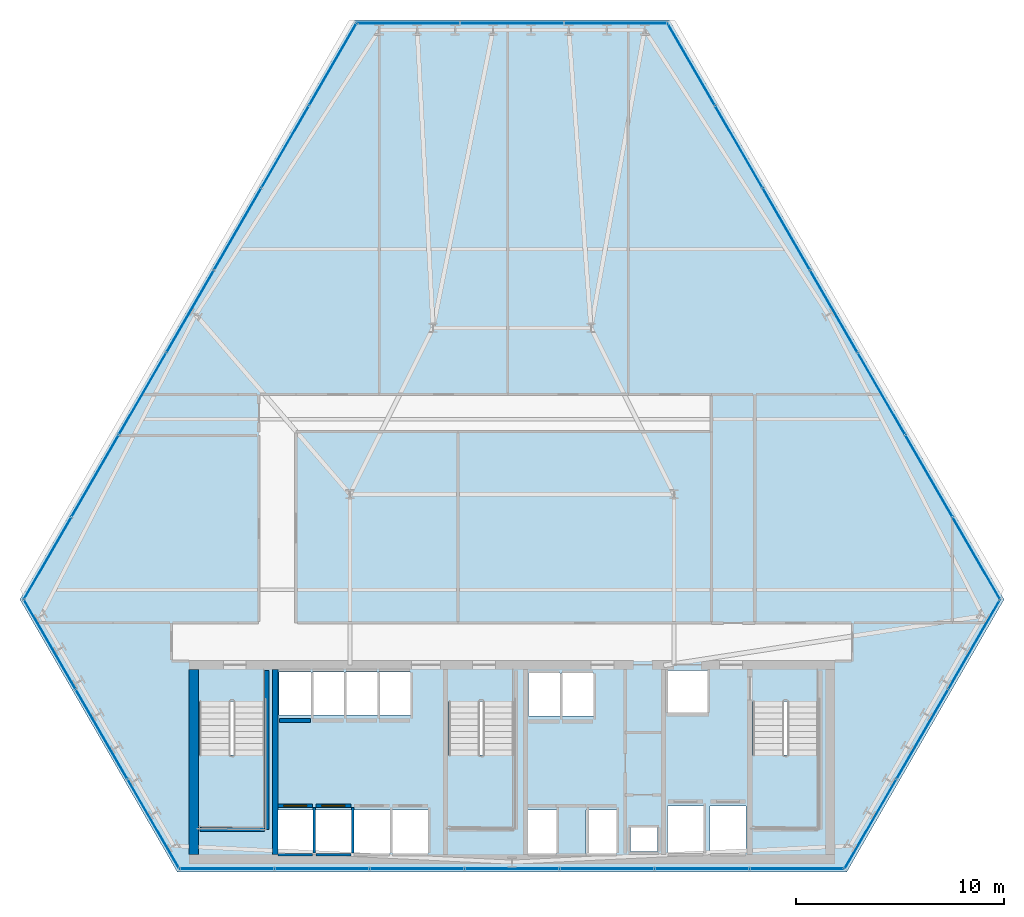
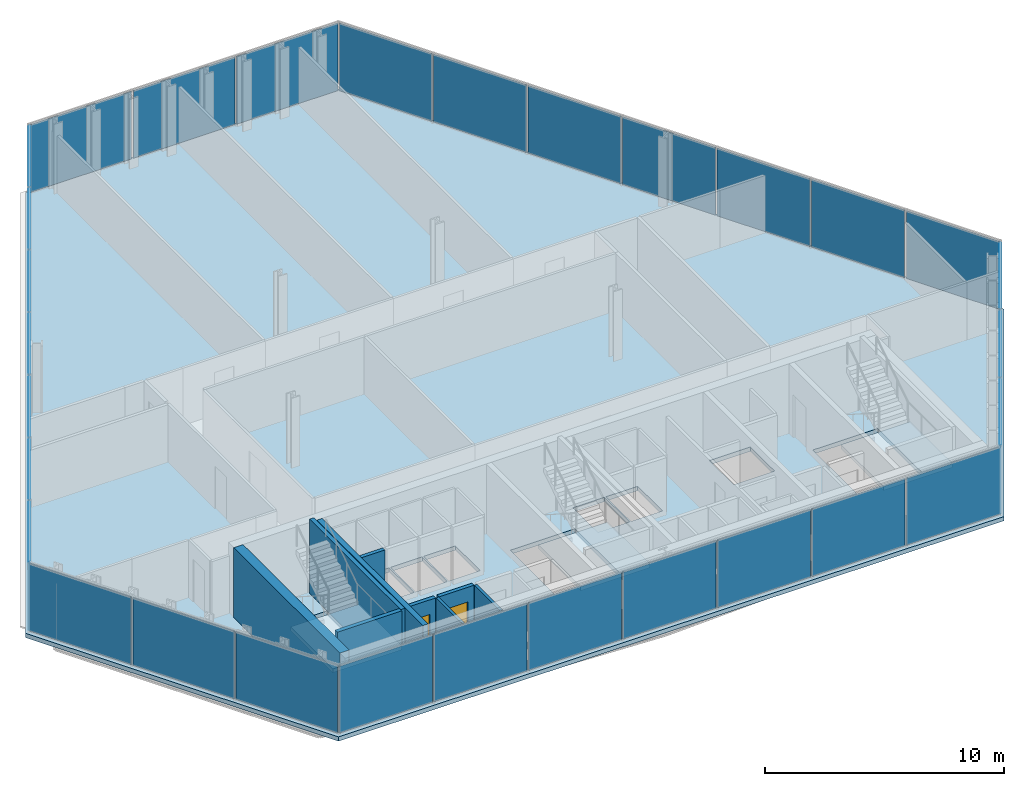
# One storey, part 26 of 32: 30 plates, 11 walls, 4 slabs, 2 doors, 2 openings, 9 elements without a shape of their own.
"""IFC4 building model written with IfcOpenShell, lengths in metres."""

from ifc_helpers import new_model, si_unit, direction, frame, frame_2d, origin, origin_2d, place, context, subcontext, project, spatial, polyline, rectangle, outline, extrude, material, layer, layer_set, type_object, element, fill, aggregate, save


model = new_model("IFC4")

# Units and contexts
model_context = context("Model", 3, precision=1e-05, world=origin(), true_north=direction((0.0, 1.0)))
body_context = subcontext(model_context, "Body", "Model", "MODEL_VIEW")
ifc_project = project(units=[si_unit("LENGTHUNIT", "METRE"), si_unit("AREAUNIT", "SQUARE_METRE"), si_unit("VOLUMEUNIT", "CUBIC_METRE"), si_unit("PLANEANGLEUNIT", "RADIAN"), si_unit("MASSUNIT", "GRAM", prefix="KILO")], contexts=[model_context])

# Site, building, storey
site_placement = place(None, origin())
site = spatial("IfcSite", under=ifc_project, at=site_placement, CompositionType="ELEMENT")
building_placement = place(site_placement, origin())
building = spatial("IfcBuilding", under=site, at=building_placement, Name="Ndaravel Arena Tower", CompositionType="ELEMENT")
storey_placement = place(building_placement, frame((0.0, 0.0, 70.199951171875)))
storey = spatial("IfcBuildingStorey", under=building, at=storey_placement, Name="L15", CompositionType="ELEMENT", Elevation=70.199951171875)

# Curtain wall, plate
ifc_material_1 = material(Name="Aluminium", Category="aluminium")
ifc_layer_1 = layer(ifc_material_1, 0.179931640625)
ifc_layer_set_1 = layer_set([ifc_layer_1], Name="Aluminium")
curtain_wall_type_1 = type_object("IfcCurtainWallType", Name="CW-SYS-01", PredefinedType="NOTDEFINED", material=ifc_layer_set_1)
curtain_wall_1_placement = place(storey_placement, origin())
curtain_wall_1 = element("IfcCurtainWall", 1, at=curtain_wall_1_placement, inside=storey, type_object=curtain_wall_type_1, Name="L15 Faceted Crystal Curtain Wall CW-L15-E02", PredefinedType="NOTDEFINED")
ifc_material_2 = material(Name="Glazing", Category="glass")
ifc_layer_2 = layer(ifc_material_2, 0.035888671875)
ifc_layer_set_2 = layer_set([ifc_layer_2], Name="Glazing")
plate_type_1 = type_object("IfcPlateType", Name="PLT-CW-OPVENT", PredefinedType="CURTAIN_PANEL", material=ifc_layer_set_2)
plate_1_placement = place(storey_placement, frame((61.758056640625, 11.6435546875, 0.06005859375), z_axis=(0.0, 0.0, 1.0), x_axis=(0.5, 0.866025403784, 0.0)))
plate_1 = element("IfcPlate", 2, at=plate_1_placement, type_object=plate_type_1, Name="CW-L15-E02 Operable Vent Sash Panel 02", PredefinedType="CURTAIN_PANEL", context=body_context, shape_type="SweptSolid", body=[
    extrude(rectangle(XDim=4.910888671875, YDim=0.035888671875, at=origin_2d()), origin(), (0.0, 0.0, 1.0), 3.4599609375),
])

curtain_wall_2_placement = place(storey_placement, origin())
curtain_wall_2 = element("IfcCurtainWall", 3, at=curtain_wall_2_placement, inside=storey, type_object=curtain_wall_type_1, Name="L15 Faceted Crystal Curtain Wall CW-L15-E04", PredefinedType="NOTDEFINED")
plate_2_placement = place(storey_placement, frame((42.0, 45.865478515625, 0.06005859375), z_axis=(0.0, 0.0, 1.0), x_axis=(-1.0, 0.0, 0.0)))
plate_2 = element("IfcPlate", 4, at=plate_2_placement, type_object=plate_type_1, Name="CW-L15-E04 Operable Vent Sash Panel 02", PredefinedType="CURTAIN_PANEL", context=body_context, shape_type="SweptSolid", body=[
    extrude(rectangle(XDim=4.9111328125, YDim=0.035888671875, at=origin_2d()), origin(), (0.0, 0.0, 1.0), 3.4599609375),
])

ifc_material_3 = material(Name="Aluminium", Category="aluminium")
ifc_layer_3 = layer(ifc_material_3, 0.179931640625)
ifc_layer_set_3 = layer_set([ifc_layer_3], Name="Aluminium")
curtain_wall_type_2 = type_object("IfcCurtainWallType", Name="CW-SYS-02", PredefinedType="NOTDEFINED", material=ifc_layer_set_3)
curtain_wall_3_placement = place(storey_placement, origin())
curtain_wall_3 = element("IfcCurtainWall", 5, at=curtain_wall_3_placement, inside=storey, type_object=curtain_wall_type_2, Name="L15 Faceted Crystal Curtain Wall CW-L15-E06", PredefinedType="NOTDEFINED")
plate_3_placement = place(storey_placement, frame((22.241943359375, 11.6435546875, 0.06005859375), z_axis=(0.0, 0.0, 1.0), x_axis=(0.5, -0.866025403784, 0.0)))
plate_3 = element("IfcPlate", 6, at=plate_3_placement, type_object=plate_type_1, Name="CW-L15-E06 Operable Vent Sash Panel 02", PredefinedType="CURTAIN_PANEL", context=body_context, shape_type="SweptSolid", body=[
    extrude(rectangle(XDim=4.910888671875, YDim=0.035888671875, at=origin_2d()), origin(), (0.0, 0.0, 1.0), 3.4599609375),
])

# Plate
ifc_material_4 = material(Name="Glazing", Category="glass")
ifc_layer_4 = layer(ifc_material_4, 0.031982421875)
ifc_layer_set_4 = layer_set([ifc_layer_4], Name="Glazing")
plate_type_2 = type_object("IfcPlateType", Name="PLT-GLZ-FRIT35", PredefinedType="CURTAIN_PANEL", material=ifc_layer_set_4)
plate_4_placement = place(storey_placement, frame((59.2626953125, 7.3212890625, 0.06005859375), z_axis=(0.0, 0.0, 1.0), x_axis=(0.5, 0.866025403784, 0.0)))
plate_4 = element("IfcPlate", 7, at=plate_4_placement, type_object=plate_type_2, Name="CW-L15-E02 Vision Glass Panel 01", PredefinedType="CURTAIN_PANEL", context=body_context, shape_type="SweptSolid", body=[
    extrude(rectangle(XDim=4.910888671875, YDim=0.035888671875, at=origin_2d()), origin(), (0.0, 0.0, 1.0), 3.4599609375),
])

plate_5_placement = place(storey_placement, frame((64.253662109375, 15.9658203125, 0.06005859375), z_axis=(0.0, 0.0, 1.0), x_axis=(0.5, 0.866025403784, 0.0)))
plate_5 = element("IfcPlate", 8, at=plate_5_placement, type_object=plate_type_2, Name="CW-L15-E02 Vision Glass Panel 03", PredefinedType="CURTAIN_PANEL", context=body_context, shape_type="SweptSolid", body=[
    extrude(rectangle(XDim=4.910888671875, YDim=0.035888671875, at=origin_2d()), origin(), (0.0, 0.0, 1.0), 3.4599609375),
])

aggregate(curtain_wall_1, [plate_4, plate_1, plate_5])

plate_6_placement = place(storey_placement, frame((46.9912109375, 45.865478515625, 0.06005859375), z_axis=(0.0, 0.0, 1.0), x_axis=(-1.0, 0.0, 0.0)))
plate_6 = element("IfcPlate", 9, at=plate_6_placement, type_object=plate_type_2, Name="CW-L15-E04 Vision Glass Panel 01", PredefinedType="CURTAIN_PANEL", context=body_context, shape_type="SweptSolid", body=[
    extrude(rectangle(XDim=4.9111328125, YDim=0.035888671875, at=origin_2d()), origin(), (0.0, 0.0, 1.0), 3.4599609375),
])

plate_7_placement = place(storey_placement, frame((37.0087890625, 45.865478515625, 0.06005859375), z_axis=(0.0, 0.0, 1.0), x_axis=(-1.0, 0.0, 0.0)))
plate_7 = element("IfcPlate", 10, at=plate_7_placement, type_object=plate_type_2, Name="CW-L15-E04 Vision Glass Panel 03", PredefinedType="CURTAIN_PANEL", context=body_context, shape_type="SweptSolid", body=[
    extrude(rectangle(XDim=4.9111328125, YDim=0.035888671875, at=origin_2d()), origin(), (0.0, 0.0, 1.0), 3.4599609375),
])

aggregate(curtain_wall_2, [plate_6, plate_2, plate_7])

ifc_material_5 = material(Name="Glazing", Category="glass")
ifc_layer_5 = layer(ifc_material_5, 0.035888671875)
ifc_layer_set_5 = layer_set([ifc_layer_5], Name="Glazing")
plate_type_3 = type_object("IfcPlateType", Name="PLT-GLZ-FRIT55", PredefinedType="CURTAIN_PANEL", material=ifc_layer_set_5)
plate_8_placement = place(storey_placement, frame((19.746337890625, 15.9658203125, 0.06005859375), z_axis=(0.0, 0.0, 1.0), x_axis=(0.5, -0.866025403784, 0.0)))
plate_8 = element("IfcPlate", 11, at=plate_8_placement, type_object=plate_type_3, Name="CW-L15-E06 Vision Glass Panel 01", PredefinedType="CURTAIN_PANEL", context=body_context, shape_type="SweptSolid", body=[
    extrude(rectangle(XDim=4.910888671875, YDim=0.035888671875, at=origin_2d()), origin(), (0.0, 0.0, 1.0), 3.4599609375),
])

plate_9_placement = place(storey_placement, frame((24.7373046875, 7.3212890625, 0.06005859375), z_axis=(0.0, 0.0, 1.0), x_axis=(0.5, -0.866025403784, 0.0)))
plate_9 = element("IfcPlate", 12, at=plate_9_placement, type_object=plate_type_3, Name="CW-L15-E06 Vision Glass Panel 03", PredefinedType="CURTAIN_PANEL", context=body_context, shape_type="SweptSolid", body=[
    extrude(rectangle(XDim=4.910888671875, YDim=0.035888671875, at=origin_2d()), origin(), (0.0, 0.0, 1.0), 3.4599609375),
])

aggregate(curtain_wall_3, [plate_8, plate_3, plate_9])

# Curtain wall, plates
ifc_material_6 = material(Name="Aluminium", Category="aluminium")
ifc_layer_6 = layer(ifc_material_6, 0.179931640625)
ifc_layer_set_6 = layer_set([ifc_layer_6], Name="Aluminium")
curtain_wall_type_3 = type_object("IfcCurtainWallType", Name="CW-SYS-03", PredefinedType="NOTDEFINED", material=ifc_layer_set_6)
curtain_wall_4_placement = place(storey_placement, origin())
curtain_wall_4 = element("IfcCurtainWall", 13, at=curtain_wall_4_placement, inside=storey, type_object=curtain_wall_type_3, Name="L15 Faceted Crystal Curtain Wall CW-L15-E01", PredefinedType="NOTDEFINED")
ifc_material_7 = material(Name="Glazing", Category="glass")
ifc_layer_7 = layer(ifc_material_7, 0.0400390625)
ifc_layer_set_7 = layer_set([ifc_layer_7], Name="Glazing")
plate_type_4 = type_object("IfcPlateType", Name="PLT-GLZ-LOWIRON", PredefinedType="CURTAIN_PANEL", material=ifc_layer_set_7)
plate_10_placement = place(storey_placement, frame((28.27294921875, 5.159912109375, 0.06005859375), z_axis=(0.0, 0.0, 1.0), x_axis=(1.0, 0.0, 0.0)))
plate_10 = element("IfcPlate", 14, at=plate_10_placement, type_object=plate_type_4, Name="CW-L15-E01 Vision Glass Panel 01", PredefinedType="CURTAIN_PANEL", context=body_context, shape_type="SweptSolid", body=[
    extrude(rectangle(XDim=4.49560546875, YDim=0.035888671875, at=origin_2d()), origin(), (0.0, 0.0, 1.0), 3.4599609375),
])
plate_11_placement = place(storey_placement, frame((32.8486328125, 5.159912109375, 0.06005859375), z_axis=(0.0, 0.0, 1.0), x_axis=(1.0, 0.0, 0.0)))
plate_11 = element("IfcPlate", 15, at=plate_11_placement, type_object=plate_type_4, Name="CW-L15-E01 Vision Glass Panel 02", PredefinedType="CURTAIN_PANEL", context=body_context, shape_type="SweptSolid", body=[
    extrude(rectangle(XDim=4.49560546875, YDim=0.035888671875, at=origin_2d()), origin(), (0.0, 0.0, 1.0), 3.4599609375),
])
plate_12_placement = place(storey_placement, frame((37.42431640625, 5.159912109375, 0.06005859375), z_axis=(0.0, 0.0, 1.0), x_axis=(1.0, 0.0, 0.0)))
plate_12 = element("IfcPlate", 16, at=plate_12_placement, type_object=plate_type_4, Name="CW-L15-E01 Vision Glass Panel 03", PredefinedType="CURTAIN_PANEL", context=body_context, shape_type="SweptSolid", body=[
    extrude(rectangle(XDim=4.49560546875, YDim=0.035888671875, at=origin_2d()), origin(), (0.0, 0.0, 1.0), 3.4599609375),
])
plate_13_placement = place(storey_placement, frame((42.0, 5.159912109375, 0.06005859375), z_axis=(0.0, 0.0, 1.0), x_axis=(1.0, 0.0, 0.0)))
plate_13 = element("IfcPlate", 17, at=plate_13_placement, type_object=plate_type_4, Name="CW-L15-E01 Vision Glass Panel 04", PredefinedType="CURTAIN_PANEL", context=body_context, shape_type="SweptSolid", body=[
    extrude(rectangle(XDim=4.49560546875, YDim=0.035888671875, at=origin_2d()), origin(), (0.0, 0.0, 1.0), 3.4599609375),
])
plate_14_placement = place(storey_placement, frame((46.57568359375, 5.159912109375, 0.06005859375), z_axis=(0.0, 0.0, 1.0), x_axis=(1.0, 0.0, 0.0)))
plate_14 = element("IfcPlate", 18, at=plate_14_placement, type_object=plate_type_4, Name="CW-L15-E01 Vision Glass Panel 05", PredefinedType="CURTAIN_PANEL", context=body_context, shape_type="SweptSolid", body=[
    extrude(rectangle(XDim=4.49560546875, YDim=0.035888671875, at=origin_2d()), origin(), (0.0, 0.0, 1.0), 3.4599609375),
])
plate_15_placement = place(storey_placement, frame((51.1513671875, 5.159912109375, 0.06005859375), z_axis=(0.0, 0.0, 1.0), x_axis=(1.0, 0.0, 0.0)))
plate_15 = element("IfcPlate", 19, at=plate_15_placement, type_object=plate_type_4, Name="CW-L15-E01 Vision Glass Panel 06", PredefinedType="CURTAIN_PANEL", context=body_context, shape_type="SweptSolid", body=[
    extrude(rectangle(XDim=4.49560546875, YDim=0.035888671875, at=origin_2d()), origin(), (0.0, 0.0, 1.0), 3.4599609375),
])
plate_16_placement = place(storey_placement, frame((55.72705078125, 5.159912109375, 0.06005859375), z_axis=(0.0, 0.0, 1.0), x_axis=(1.0, 0.0, 0.0)))
plate_16 = element("IfcPlate", 20, at=plate_16_placement, type_object=plate_type_4, Name="CW-L15-E01 Vision Glass Panel 07", PredefinedType="CURTAIN_PANEL", context=body_context, shape_type="SweptSolid", body=[
    extrude(rectangle(XDim=4.49560546875, YDim=0.035888671875, at=origin_2d()), origin(), (0.0, 0.0, 1.0), 3.4599609375),
])
aggregate(curtain_wall_4, [plate_10, plate_11, plate_12, plate_13, plate_14, plate_15, plate_16])

curtain_wall_5_placement = place(storey_placement, origin())
curtain_wall_5 = element("IfcCurtainWall", 21, at=curtain_wall_5_placement, inside=storey, type_object=curtain_wall_type_3, Name="L15 Faceted Crystal Curtain Wall CW-L15-E03", PredefinedType="NOTDEFINED")
plate_17_placement = place(storey_placement, frame((64.357421875, 20.1083984375, 0.06005859375), z_axis=(0.0, 0.0, 1.0), x_axis=(-0.5, 0.866025403784, 0.0)))
plate_17 = element("IfcPlate", 22, at=plate_17_placement, type_object=plate_type_4, Name="CW-L15-E03 Vision Glass Panel 01", PredefinedType="CURTAIN_PANEL", context=body_context, shape_type="SweptSolid", body=[
    extrude(rectangle(XDim=4.49560546875, YDim=0.035888671875, at=origin_2d()), origin(), (0.0, 0.0, 1.0), 3.4599609375),
])
plate_18_placement = place(storey_placement, frame((62.069580078125, 24.071044921875, 0.06005859375), z_axis=(0.0, 0.0, 1.0), x_axis=(-0.5, 0.866025403784, 0.0)))
plate_18 = element("IfcPlate", 23, at=plate_18_placement, type_object=plate_type_4, Name="CW-L15-E03 Vision Glass Panel 02", PredefinedType="CURTAIN_PANEL", context=body_context, shape_type="SweptSolid", body=[
    extrude(rectangle(XDim=4.49560546875, YDim=0.035888671875, at=origin_2d()), origin(), (0.0, 0.0, 1.0), 3.4599609375),
])
plate_19_placement = place(storey_placement, frame((59.78173828125, 28.03369140625, 0.06005859375), z_axis=(0.0, 0.0, 1.0), x_axis=(-0.5, 0.866025403784, 0.0)))
plate_19 = element("IfcPlate", 24, at=plate_19_placement, type_object=plate_type_4, Name="CW-L15-E03 Vision Glass Panel 03", PredefinedType="CURTAIN_PANEL", context=body_context, shape_type="SweptSolid", body=[
    extrude(rectangle(XDim=4.49560546875, YDim=0.035888671875, at=origin_2d()), origin(), (0.0, 0.0, 1.0), 3.4599609375),
])
plate_20_placement = place(storey_placement, frame((57.493896484375, 31.996337890625, 0.06005859375), z_axis=(0.0, 0.0, 1.0), x_axis=(-0.5, 0.866025403784, 0.0)))
plate_20 = element("IfcPlate", 25, at=plate_20_placement, type_object=plate_type_4, Name="CW-L15-E03 Vision Glass Panel 04", PredefinedType="CURTAIN_PANEL", context=body_context, shape_type="SweptSolid", body=[
    extrude(rectangle(XDim=4.49560546875, YDim=0.035888671875, at=origin_2d()), origin(), (0.0, 0.0, 1.0), 3.4599609375),
])
plate_21_placement = place(storey_placement, frame((55.206298828125, 35.958984375, 0.06005859375), z_axis=(0.0, 0.0, 1.0), x_axis=(-0.5, 0.866025403784, 0.0)))
plate_21 = element("IfcPlate", 26, at=plate_21_placement, type_object=plate_type_4, Name="CW-L15-E03 Vision Glass Panel 05", PredefinedType="CURTAIN_PANEL", context=body_context, shape_type="SweptSolid", body=[
    extrude(rectangle(XDim=4.49560546875, YDim=0.035888671875, at=origin_2d()), origin(), (0.0, 0.0, 1.0), 3.4599609375),
])
plate_22_placement = place(storey_placement, frame((52.918212890625, 39.921630859375, 0.06005859375), z_axis=(0.0, 0.0, 1.0), x_axis=(-0.5, 0.866025403784, 0.0)))
plate_22 = element("IfcPlate", 27, at=plate_22_placement, type_object=plate_type_4, Name="CW-L15-E03 Vision Glass Panel 06", PredefinedType="CURTAIN_PANEL", context=body_context, shape_type="SweptSolid", body=[
    extrude(rectangle(XDim=4.49560546875, YDim=0.035888671875, at=origin_2d()), origin(), (0.0, 0.0, 1.0), 3.4599609375),
])
plate_23_placement = place(storey_placement, frame((50.630615234375, 43.88427734375, 0.06005859375), z_axis=(0.0, 0.0, 1.0), x_axis=(-0.5, 0.866025403784, 0.0)))
plate_23 = element("IfcPlate", 28, at=plate_23_placement, type_object=plate_type_4, Name="CW-L15-E03 Vision Glass Panel 07", PredefinedType="CURTAIN_PANEL", context=body_context, shape_type="SweptSolid", body=[
    extrude(rectangle(XDim=4.49560546875, YDim=0.035888671875, at=origin_2d()), origin(), (0.0, 0.0, 1.0), 3.4599609375),
])
aggregate(curtain_wall_5, [plate_17, plate_18, plate_19, plate_20, plate_21, plate_22, plate_23])

curtain_wall_6_placement = place(storey_placement, origin())
curtain_wall_6 = element("IfcCurtainWall", 29, at=curtain_wall_6_placement, inside=storey, type_object=curtain_wall_type_3, Name="L15 Faceted Crystal Curtain Wall CW-L15-E05", PredefinedType="NOTDEFINED")
plate_24_placement = place(storey_placement, frame((33.369384765625, 43.88427734375, 0.06005859375), z_axis=(0.0, 0.0, 1.0), x_axis=(-0.5, -0.866025403784, 0.0)))
plate_24 = element("IfcPlate", 30, at=plate_24_placement, type_object=plate_type_4, Name="CW-L15-E05 Vision Glass Panel 01", PredefinedType="CURTAIN_PANEL", context=body_context, shape_type="SweptSolid", body=[
    extrude(rectangle(XDim=4.49560546875, YDim=0.035888671875, at=origin_2d()), origin(), (0.0, 0.0, 1.0), 3.4599609375),
])
plate_25_placement = place(storey_placement, frame((31.081787109375, 39.921630859375, 0.06005859375), z_axis=(0.0, 0.0, 1.0), x_axis=(-0.5, -0.866025403784, 0.0)))
plate_25 = element("IfcPlate", 31, at=plate_25_placement, type_object=plate_type_4, Name="CW-L15-E05 Vision Glass Panel 02", PredefinedType="CURTAIN_PANEL", context=body_context, shape_type="SweptSolid", body=[
    extrude(rectangle(XDim=4.49560546875, YDim=0.035888671875, at=origin_2d()), origin(), (0.0, 0.0, 1.0), 3.4599609375),
])
plate_26_placement = place(storey_placement, frame((28.793701171875, 35.958984375, 0.06005859375), z_axis=(0.0, 0.0, 1.0), x_axis=(-0.5, -0.866025403784, 0.0)))
plate_26 = element("IfcPlate", 32, at=plate_26_placement, type_object=plate_type_4, Name="CW-L15-E05 Vision Glass Panel 03", PredefinedType="CURTAIN_PANEL", context=body_context, shape_type="SweptSolid", body=[
    extrude(rectangle(XDim=4.49560546875, YDim=0.035888671875, at=origin_2d()), origin(), (0.0, 0.0, 1.0), 3.4599609375),
])
plate_27_placement = place(storey_placement, frame((26.506103515625, 31.996337890625, 0.06005859375), z_axis=(0.0, 0.0, 1.0), x_axis=(-0.5, -0.866025403784, 0.0)))
plate_27 = element("IfcPlate", 33, at=plate_27_placement, type_object=plate_type_4, Name="CW-L15-E05 Vision Glass Panel 04", PredefinedType="CURTAIN_PANEL", context=body_context, shape_type="SweptSolid", body=[
    extrude(rectangle(XDim=4.49560546875, YDim=0.035888671875, at=origin_2d()), origin(), (0.0, 0.0, 1.0), 3.4599609375),
])
plate_28_placement = place(storey_placement, frame((24.21826171875, 28.03369140625, 0.06005859375), z_axis=(0.0, 0.0, 1.0), x_axis=(-0.5, -0.866025403784, 0.0)))
plate_28 = element("IfcPlate", 34, at=plate_28_placement, type_object=plate_type_4, Name="CW-L15-E05 Vision Glass Panel 05", PredefinedType="CURTAIN_PANEL", context=body_context, shape_type="SweptSolid", body=[
    extrude(rectangle(XDim=4.49560546875, YDim=0.035888671875, at=origin_2d()), origin(), (0.0, 0.0, 1.0), 3.4599609375),
])
plate_29_placement = place(storey_placement, frame((21.930419921875, 24.071044921875, 0.06005859375), z_axis=(0.0, 0.0, 1.0), x_axis=(-0.5, -0.866025403784, 0.0)))
plate_29 = element("IfcPlate", 35, at=plate_29_placement, type_object=plate_type_4, Name="CW-L15-E05 Vision Glass Panel 06", PredefinedType="CURTAIN_PANEL", context=body_context, shape_type="SweptSolid", body=[
    extrude(rectangle(XDim=4.49560546875, YDim=0.035888671875, at=origin_2d()), origin(), (0.0, 0.0, 1.0), 3.4599609375),
])
plate_30_placement = place(storey_placement, frame((19.642578125, 20.1083984375, 0.06005859375), z_axis=(0.0, 0.0, 1.0), x_axis=(-0.5, -0.866025403784, 0.0)))
plate_30 = element("IfcPlate", 36, at=plate_30_placement, type_object=plate_type_4, Name="CW-L15-E05 Vision Glass Panel 07", PredefinedType="CURTAIN_PANEL", context=body_context, shape_type="SweptSolid", body=[
    extrude(rectangle(XDim=4.49560546875, YDim=0.035888671875, at=origin_2d()), origin(), (0.0, 0.0, 1.0), 3.4599609375),
])
aggregate(curtain_wall_6, [plate_24, plate_25, plate_26, plate_27, plate_28, plate_29, plate_30])

# Stair, slab
ifc_material_8 = material(Name="Concrete C40/50", Category="concrete")
stair_type = type_object("IfcStairType", Name="STAIR-CORE-HT", PredefinedType="HALF_TURN_STAIR", material=ifc_material_8)
stair_1_placement = place(storey_placement, origin())
stair_1 = element("IfcStair", 37, at=stair_1_placement, inside=storey, type_object=stair_type, Name="L15 ST-1", PredefinedType="HALF_TURN_STAIR")
ifc_material_9 = material(Name="Concrete C40/50", Category="concrete")
ifc_layer_8 = layer(ifc_material_9, 0.199951171875)
ifc_layer_set_8 = layer_set([ifc_layer_8], Name="Concrete C40/50")
slab_type_1 = type_object("IfcSlabType", Name="SLAB-STAIR-LANDING", PredefinedType="LANDING", material=ifc_layer_set_8)
slab_1_placement = place(storey_placement, frame((0.0, 0.0, 1.699951171875)))
slab_1 = element("IfcSlab", 38, at=slab_1_placement, type_object=slab_type_1, Name="ST-1 landing 1", PredefinedType="LANDING", context=body_context, shape_type="SweptSolid", body=[
    extrude(outline(polyline([(26.81005859375, 10.6298828125), (26.81005859375, 7.070068359375), (30.169921875, 7.070068359375), (30.169921875, 10.6298828125), (26.81005859375, 10.6298828125)])), origin(), (0.0, 0.0, 1.0), 0.2001953125),
])
aggregate(stair_1, [slab_1])

stair_2_placement = place(storey_placement, origin())
stair_2 = element("IfcStair", 39, at=stair_2_placement, inside=storey, type_object=stair_type, Name="L15 ST-2", PredefinedType="HALF_TURN_STAIR")
slab_2_placement = place(storey_placement, frame((0.0, 0.0, 1.699951171875)))
slab_2 = element("IfcSlab", 40, at=slab_2_placement, type_object=slab_type_1, Name="ST-2 landing 1", PredefinedType="LANDING", context=body_context, shape_type="SweptSolid", body=[
    extrude(outline(polyline([(38.81005859375, 10.6298828125), (38.81005859375, 7.070068359375), (42.169921875, 7.070068359375), (42.169921875, 10.6298828125), (38.81005859375, 10.6298828125)])), origin(), (0.0, 0.0, 1.0), 0.2001953125),
])
aggregate(stair_2, [slab_2])

stair_3_placement = place(storey_placement, origin())
stair_3 = element("IfcStair", 41, at=stair_3_placement, inside=storey, type_object=stair_type, Name="L15 ST-3", PredefinedType="HALF_TURN_STAIR")
slab_3_placement = place(storey_placement, frame((0.0, 0.0, 1.699951171875)))
slab_3 = element("IfcSlab", 42, at=slab_3_placement, type_object=slab_type_1, Name="ST-3 landing 1", PredefinedType="LANDING", context=body_context, shape_type="SweptSolid", body=[
    extrude(outline(polyline([(53.4599609375, 10.6298828125), (53.4599609375, 7.070068359375), (56.820068359375, 7.070068359375), (56.820068359375, 10.6298828125), (53.4599609375, 10.6298828125)])), origin(), (0.0, 0.0, 1.0), 0.2001953125),
])
aggregate(stair_3, [slab_3])

# Slab
ifc_material_10 = material(Name="Concrete C40/50", Category="concrete")
ifc_layer_9 = layer(ifc_material_10, 0.219970703125)
ifc_layer_set_9 = layer_set([ifc_layer_9], Name="Concrete C40/50")
slab_type_2 = type_object("IfcSlabType", Name="SLAB-TWR-220", PredefinedType="FLOOR", material=ifc_layer_set_9)
slab_4_placement = place(storey_placement, frame((0.0, 0.0, -0.219970703125)))
element("IfcSlab", 43, at=slab_4_placement, inside=storey, type_object=slab_type_2, Name="L15 Structural Floor Slab", PredefinedType="FLOOR", context=body_context, shape_type="SweptSolid", body=[
    extrude(outline(polyline([(18.313720703125, 18.127197265625), (25.892822265625, 5.0), (58.107177734375, 5.0), (65.686279296875, 18.127197265625), (49.5791015625, 46.025634765625), (34.4208984375, 46.025634765625), (18.313720703125, 18.127197265625)]), holes=[polyline([(26.949951171875, 13.215087890625), (26.949951171875, 7.14990234375), (30.090087890625, 7.14990234375), (30.090087890625, 13.215087890625), (26.949951171875, 13.215087890625)]), polyline([(38.949951171875, 13.215087890625), (38.949951171875, 7.14990234375), (42.090087890625, 7.14990234375), (42.090087890625, 13.215087890625), (38.949951171875, 13.215087890625)]), polyline([(53.60009765625, 13.215087890625), (53.60009765625, 7.14990234375), (56.739990234375, 7.14990234375), (56.739990234375, 13.215087890625), (53.60009765625, 13.215087890625)]), polyline([(30.68505859375, 5.909912109375), (32.4150390625, 5.909912109375), (32.4150390625, 7.989990234375), (30.68505859375, 7.989990234375), (30.68505859375, 5.909912109375)]), polyline([(32.534912109375, 5.909912109375), (34.264892578125, 5.909912109375), (34.264892578125, 7.989990234375), (32.534912109375, 7.989990234375), (32.534912109375, 5.909912109375)]), polyline([(34.385009765625, 5.909912109375), (36.114990234375, 5.909912109375), (36.114990234375, 7.989990234375), (34.385009765625, 7.989990234375), (34.385009765625, 5.909912109375)]), polyline([(36.235107421875, 5.909912109375), (37.965087890625, 5.909912109375), (37.965087890625, 7.989990234375), (36.235107421875, 7.989990234375), (36.235107421875, 5.909912109375)]), polyline([(30.784912109375, 12.56005859375), (32.31494140625, 12.56005859375), (32.31494140625, 14.639892578125), (30.784912109375, 14.639892578125), (30.784912109375, 12.56005859375)]), polyline([(32.385009765625, 12.56005859375), (33.9150390625, 12.56005859375), (33.9150390625, 14.639892578125), (32.385009765625, 14.639892578125), (32.385009765625, 12.56005859375)]), polyline([(33.985107421875, 12.56005859375), (35.514892578125, 12.56005859375), (35.514892578125, 14.639892578125), (33.985107421875, 14.639892578125), (33.985107421875, 12.56005859375)]), polyline([(35.5849609375, 12.56005859375), (37.114990234375, 12.56005859375), (37.114990234375, 14.639892578125), (35.5849609375, 14.639892578125), (35.5849609375, 12.56005859375)]), polyline([(42.659912109375, 5.909912109375), (44.139892578125, 5.909912109375), (44.139892578125, 7.989990234375), (42.659912109375, 7.989990234375), (42.659912109375, 5.909912109375)]), polyline([(45.56005859375, 5.909912109375), (47.0400390625, 5.909912109375), (47.0400390625, 7.989990234375), (45.56005859375, 7.989990234375), (45.56005859375, 5.909912109375)]), polyline([(42.784912109375, 12.510009765625), (44.31494140625, 12.510009765625), (44.31494140625, 14.590087890625), (42.784912109375, 14.590087890625), (42.784912109375, 12.510009765625)]), polyline([(44.385009765625, 12.510009765625), (45.9150390625, 12.510009765625), (45.9150390625, 14.590087890625), (44.385009765625, 14.590087890625), (44.385009765625, 12.510009765625)]), polyline([(49.485107421875, 5.909912109375), (51.215087890625, 5.909912109375), (51.215087890625, 8.18994140625), (49.485107421875, 8.18994140625), (49.485107421875, 5.909912109375)]), polyline([(51.534912109375, 5.909912109375), (53.264892578125, 5.909912109375), (53.264892578125, 8.18994140625), (51.534912109375, 8.18994140625), (51.534912109375, 5.909912109375)]), polyline([(49.4599609375, 12.68505859375), (51.43994140625, 12.68505859375), (51.43994140625, 14.715087890625), (49.4599609375, 14.715087890625), (49.4599609375, 12.68505859375)]), polyline([(47.699951171875, 6.0), (49.0, 6.0), (49.0, 7.139892578125), (47.699951171875, 7.139892578125), (47.699951171875, 6.0)])]), origin(), (0.0, 0.0, 1.0), 0.219970703125),
])

# Walls
ifc_material_11 = material(Name="Concrete C60/75", Category="concrete")
ifc_layer_10 = layer(ifc_material_11, 0.25)
ifc_layer_set_10 = layer_set([ifc_layer_10], Name="Concrete C60/75")
wall_type_1 = type_object("IfcWallType", Name="WALL-CORE-250", PredefinedType="SOLIDWALL", material=ifc_layer_set_10)
wall_1_placement = place(storey_placement, frame((30.60009765625, 5.85009765625, 0.0), z_axis=(0.0, 0.0, 1.0), x_axis=(0.0, 1.0, 0.0)))
element("IfcWall", 44, at=wall_1_placement, inside=storey, type_object=wall_type_1, Name="L15 Core Web Shear Wall 1", PredefinedType="SOLIDWALL", context=body_context, shape_type="SweptSolid", body=[
    extrude(rectangle(XDim=8.89990234375, YDim=0.25, at=frame_2d((4.449951171875, 0.0))), origin(), (0.0, 0.0, 1.0), 3.580078125),
])
ifc_material_12 = material(Name="Concrete C60/75", Category="concrete")
ifc_layer_11 = layer(ifc_material_12, 0.449951171875)
ifc_layer_set_11 = layer_set([ifc_layer_11], Name="Concrete C60/75")
wall_type_2 = type_object("IfcWallType", Name="WALL-CORE-450", PredefinedType="SOLIDWALL", material=ifc_layer_set_11)
wall_2_placement = place(storey_placement, frame((26.675048828125, 5.85009765625, 0.0), z_axis=(0.0, 0.0, 1.0), x_axis=(0.0, 1.0, 0.0)))
element("IfcWall", 45, at=wall_2_placement, inside=storey, type_object=wall_type_2, Name="L15 Core West Shear Wall", PredefinedType="SOLIDWALL", context=body_context, shape_type="SweptSolid", body=[
    extrude(rectangle(XDim=8.89990234375, YDim=0.449951171875, at=frame_2d((4.449951171875, 0.0))), origin(), (0.0, 0.0, 1.0), 3.580078125),
])
ifc_material_13 = material(Name="Concrete C40/50", Category="concrete")
ifc_layer_12 = layer(ifc_material_13, 0.1201171875)
ifc_layer_set_12 = layer_set([ifc_layer_12], Name="Concrete C40/50")
wall_type_3 = type_object("IfcWallType", Name="WALL-SHAFT-120", PredefinedType="SOLIDWALL", material=ifc_layer_set_12)
wall_3_placement = place(storey_placement, frame((30.72998046875, 5.840087890625, 0.0), z_axis=(0.0, 0.0, 1.0), x_axis=(1.0, 0.0, 0.0)))
element("IfcWall", 46, at=wall_3_placement, inside=storey, type_object=wall_type_3, Name="L15 PL-L1 Shaft Rear Wall", PredefinedType="SOLIDWALL", context=body_context, shape_type="SweptSolid", body=[
    extrude(rectangle(XDim=1.6650390625, YDim=0.1201171875, at=frame_2d((0.83251953125, 0.0))), origin(), (0.0, 0.0, 1.0), 2.949951171875),
])
wall_4_placement = place(storey_placement, frame((32.47509765625, 5.929931640625, 0.0), z_axis=(0.0, 0.0, 1.0), x_axis=(0.0, 1.0, 0.0)))
element("IfcWall", 47, at=wall_4_placement, inside=storey, type_object=wall_type_3, Name="L15 PL-L1 Shaft Side R Wall", PredefinedType="SOLIDWALL", context=body_context, shape_type="SweptSolid", body=[
    extrude(rectangle(XDim=2.18017578125, YDim=0.1201171875, at=frame_2d((1.090087890625, 0.0))), origin(), (0.0, 0.0, 1.0), 2.949951171875),
])
wall_5_placement = place(storey_placement, frame((32.554931640625, 5.840087890625, 0.0), z_axis=(0.0, 0.0, 1.0), x_axis=(1.0, 0.0, 0.0)))
element("IfcWall", 48, at=wall_5_placement, inside=storey, type_object=wall_type_3, Name="L15 PL-L2 Shaft Rear Wall", PredefinedType="SOLIDWALL", context=body_context, shape_type="SweptSolid", body=[
    extrude(rectangle(XDim=1.690185546875, YDim=0.1201171875, at=frame_2d((0.84521484375, 0.0))), origin(), (0.0, 0.0, 1.0), 2.949951171875),
])
wall_6_placement = place(storey_placement, frame((34.324951171875, 5.929931640625, 0.0), z_axis=(0.0, 0.0, 1.0), x_axis=(0.0, 1.0, 0.0)))
element("IfcWall", 49, at=wall_6_placement, inside=storey, type_object=wall_type_3, Name="L15 PL-L2 Shaft Side R Wall", PredefinedType="SOLIDWALL", context=body_context, shape_type="SweptSolid", body=[
    extrude(rectangle(XDim=2.18017578125, YDim=0.1201171875, at=frame_2d((1.090087890625, 0.0))), origin(), (0.0, 0.0, 1.0), 2.949951171875),
])
ifc_material_14 = material(Name="Concrete C40/50", Category="concrete")
ifc_layer_13 = layer(ifc_material_14, 0.199951171875)
ifc_layer_set_13 = layer_set([ifc_layer_13], Name="Concrete C40/50")
wall_type_4 = type_object("IfcWallType", Name="WALL-SHAFT-200", PredefinedType="SOLIDWALL", material=ifc_layer_set_13)
wall_7_placement = place(storey_placement, frame((30.18994140625, 14.699951171875, 0.0), z_axis=(0.0, 0.0, 1.0), x_axis=(0.0, -1.0, 0.0)))
element("IfcWall", 50, at=wall_7_placement, inside=storey, type_object=wall_type_4, Name="L15 ST-1 Structural Shaft Wall Right", PredefinedType="SOLIDWALL", context=body_context, shape_type="SweptSolid", body=[
    extrude(rectangle(XDim=7.64990234375, YDim=0.199951171875, at=frame_2d((3.824951171875, 0.0))), origin(), (0.0, 0.0, 1.0), 3.800048828125),
])
wall_8_placement = place(storey_placement, frame((26.969970703125, 7.050048828125, 0.0), z_axis=(0.0, 0.0, 1.0), x_axis=(1.0, 0.0, 0.0)))
element("IfcWall", 51, at=wall_8_placement, inside=storey, type_object=wall_type_4, Name="L15 ST-1 Structural Shaft Wall Far", PredefinedType="SOLIDWALL", context=body_context, shape_type="SweptSolid", body=[
    extrude(rectangle(XDim=3.114990234375, YDim=0.199951171875, at=frame_2d((1.5576171875, 0.0))), origin(), (0.0, 0.0, 1.0), 3.800048828125),
])

# Wall, opening, door
wall_9_placement = place(storey_placement, frame((30.72998046875, 8.199951171875, 0.0), z_axis=(0.0, 0.0, 1.0), x_axis=(1.0, 0.0, 0.0)))
wall_9 = element("IfcWall", 52, at=wall_9_placement, inside=storey, type_object=wall_type_4, Name="L15 PL-L1 Shaft Landing Wall", PredefinedType="SOLIDWALL", context=body_context, shape_type="SweptSolid", body=[
    extrude(rectangle(XDim=1.6650390625, YDim=0.179931640625, at=frame_2d((0.83251953125, 0.0))), origin(), (0.0, 0.0, 1.0), 2.949951171875),
])
opening_1_placement = place(wall_9_placement, frame((0.282470703125, 0.0, 0.0)))
opening_1 = element("IfcOpeningElement", 53, at=opening_1_placement, cuts=wall_9, Name="Opening LD-01", PredefinedType="OPENING", context=body_context, shape_type="SweptSolid", body=[
    extrude(rectangle(XDim=1.10009765625, YDim=2.199951171875, at=frame_2d((0.550048828125, 1.10009765625))), frame((0.0, 0.08984375, 0.0), z_axis=(0.0, -1.0, 0.0), x_axis=(1.0, 0.0, 0.0)), (0.0, 0.0, 1.0), 0.179931640625),
])
ifc_material_15 = material(Name="Steel S355", Category="steel")
door_type = type_object("IfcDoorType", Name="DT-06-LIFT-1100", OperationType="SLIDING_TO_LEFT", PredefinedType="DOOR", material=ifc_material_15)
door_1_placement = place(opening_1_placement, origin())
door_1 = element("IfcDoor", 54, at=door_1_placement, inside=storey, type_object=door_type, Name="L15 Lift PL-L1 Sliding Landing Door", OperationType="SLIDING_TO_LEFT", OverallHeight=2.199951171875, OverallWidth=1.10009765625, PredefinedType="DOOR", context=body_context, shape_type="SweptSolid", body=[
    extrude(rectangle(XDim=1.10009765625, YDim=2.199951171875, at=frame_2d((0.550048828125, 1.10009765625))), frame((0.0, 0.02490234375, 0.0), z_axis=(0.0, -1.0, 0.0), x_axis=(1.0, 0.0, 0.0)), (0.0, 0.0, 1.0), 0.050048828125),
])
fill(opening_1, door_1)

wall_10_placement = place(storey_placement, frame((32.554931640625, 8.199951171875, 0.0), z_axis=(0.0, 0.0, 1.0), x_axis=(1.0, 0.0, 0.0)))
wall_10 = element("IfcWall", 55, at=wall_10_placement, inside=storey, type_object=wall_type_4, Name="L15 PL-L2 Shaft Landing Wall", PredefinedType="SOLIDWALL", context=body_context, shape_type="SweptSolid", body=[
    extrude(rectangle(XDim=1.690185546875, YDim=0.179931640625, at=frame_2d((0.84521484375, 0.0))), origin(), (0.0, 0.0, 1.0), 2.949951171875),
])
opening_2_placement = place(wall_10_placement, frame((0.294921875, 0.0, 0.0)))
opening_2 = element("IfcOpeningElement", 56, at=opening_2_placement, cuts=wall_10, Name="Opening LD-01", PredefinedType="OPENING", context=body_context, shape_type="SweptSolid", body=[
    extrude(rectangle(XDim=1.10009765625, YDim=2.199951171875, at=frame_2d((0.550048828125, 1.10009765625))), frame((0.0, 0.08984375, 0.0), z_axis=(0.0, -1.0, 0.0), x_axis=(1.0, 0.0, 0.0)), (0.0, 0.0, 1.0), 0.179931640625),
])
door_2_placement = place(opening_2_placement, origin())
door_2 = element("IfcDoor", 57, at=door_2_placement, inside=storey, type_object=door_type, Name="L15 Lift PL-L2 Sliding Landing Door", OperationType="SLIDING_TO_LEFT", OverallHeight=2.199951171875, OverallWidth=1.10009765625, PredefinedType="DOOR", context=body_context, shape_type="SweptSolid", body=[
    extrude(rectangle(XDim=1.10009765625, YDim=2.199951171875, at=frame_2d((0.550048828125, 1.10009765625))), frame((0.0, 0.02490234375, 0.0), z_axis=(0.0, -1.0, 0.0), x_axis=(1.0, 0.0, 0.0)), (0.0, 0.0, 1.0), 0.050048828125),
])
fill(opening_2, door_2)

# Wall
wall_11_placement = place(storey_placement, frame((30.804931640625, 12.300048828125, 0.0), z_axis=(0.0, 0.0, 1.0), x_axis=(1.0, 0.0, 0.0)))
element("IfcWall", 58, at=wall_11_placement, inside=storey, type_object=wall_type_4, Name="L15 PL-M1 Shaft Landing Wall", PredefinedType="SOLIDWALL", context=body_context, shape_type="SweptSolid", body=[
    extrude(rectangle(XDim=1.489990234375, YDim=0.179931640625, at=frame_2d((0.7451171875, 0.0))), origin(), (0.0, 0.0, 1.0), 2.949951171875),
])

save(model, "model.ifc")
